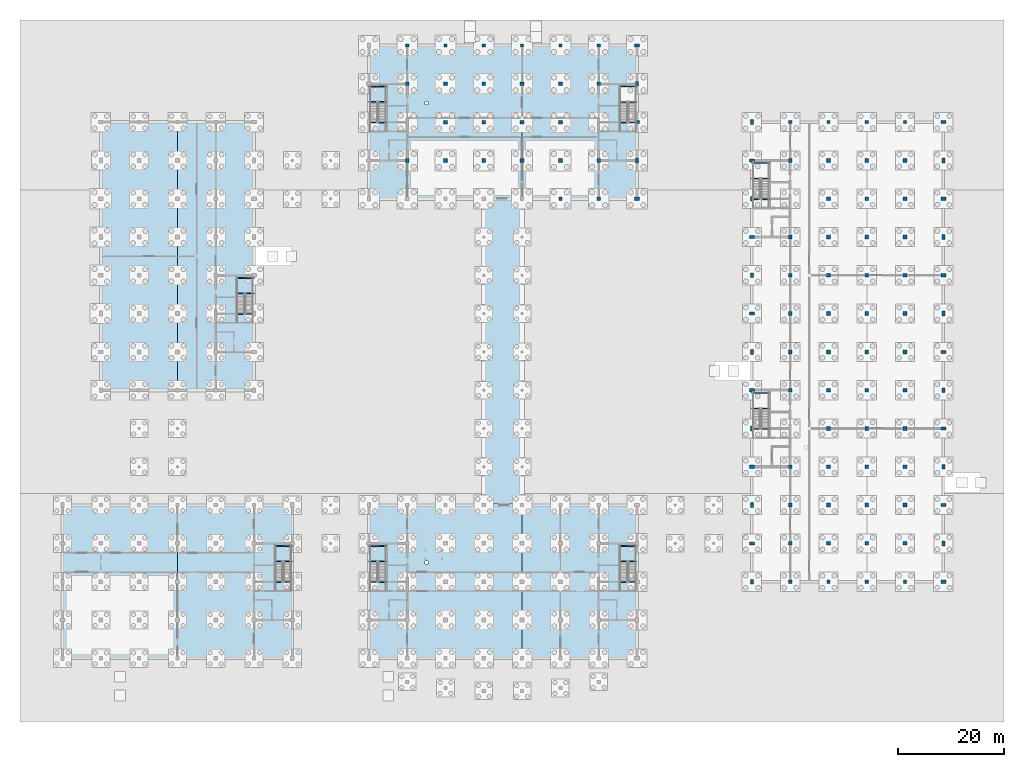
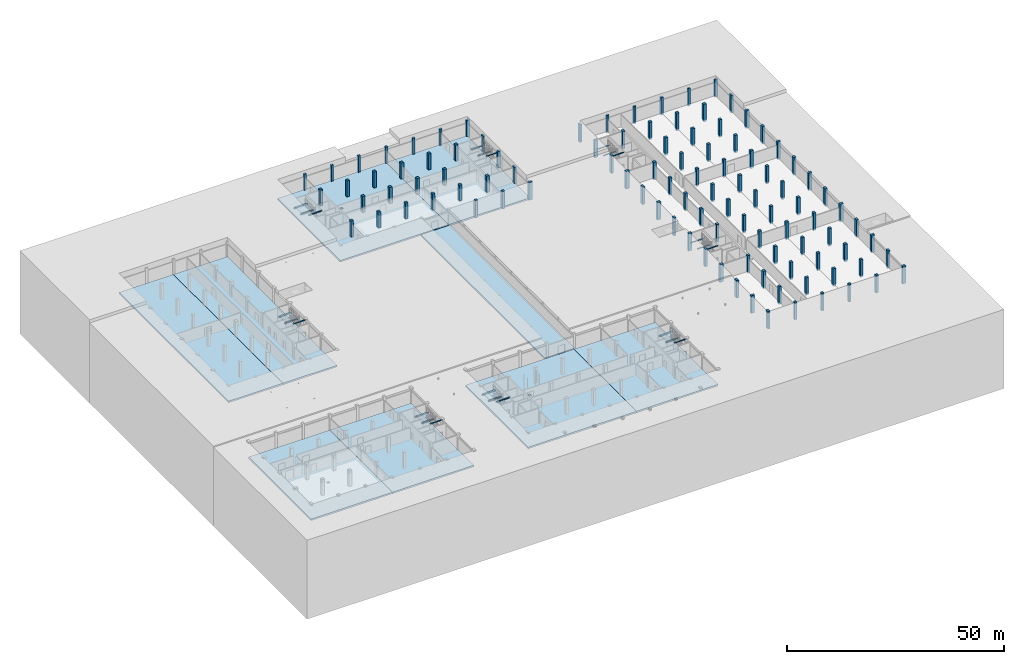
# One storey, part 22 of 51: 105 columns, 24 beams, 14 slabs, 5 elements without a shape of their own.
"""IFC4 building model written with IfcOpenShell, lengths in metres."""

from ifc_helpers import new_model, si_unit, direction, frame, origin, origin_2d, place, context, subcontext, project, spatial, polyline, rectangle, i_section, outline, extrude, material, layer, layer_set, material_profile, profile_set, type_object, element, aggregate, save


model = new_model("IFC4")

# Units and contexts
model_context = context("Model", 3, precision=1e-05, world=origin(), true_north=direction((0.0, 1.0)))
body_context = subcontext(model_context, "Body", "Model", "MODEL_VIEW")
ifc_project = project(units=[si_unit("LENGTHUNIT", "METRE"), si_unit("AREAUNIT", "SQUARE_METRE"), si_unit("VOLUMEUNIT", "CUBIC_METRE"), si_unit("PLANEANGLEUNIT", "RADIAN"), si_unit("MASSUNIT", "GRAM", prefix="KILO")], contexts=[model_context])

# Site, building, storey
site_placement = place(None, origin())
site = spatial("IfcSite", under=ifc_project, at=site_placement, CompositionType="ELEMENT")
building_placement = place(site_placement, origin())
building = spatial("IfcBuilding", under=site, at=building_placement, Name="Zlatovets Crest Museum", CompositionType="ELEMENT")
storey_placement = place(building_placement, frame((0.0, 0.0, -4.5)))
storey = spatial("IfcBuildingStorey", under=building, at=storey_placement, Name="B1", CompositionType="ELEMENT", Elevation=-4.5)

# Columns
ifc_material_1 = material(Name="Concrete C35/45", Category="concrete")
ifc_material_profile_1 = material_profile(ifc_material_1, rectangle(XDim=0.699951171875, YDim=0.699951171875, at=origin_2d()), Name="RC 700x700")
ifc_profile_set_1 = profile_set([ifc_material_profile_1], Name="Concrete C35/45")
column_type_1 = type_object("IfcColumnType", Name="Col_C-01", PredefinedType="COLUMN", material=ifc_profile_set_1)
for number, where, z_axis, x_axis, name in (
    (1, (64.800048828125, 93.60009765625, -0.449951171875), (0.0, 0.0, 1.0), (1.0, 0.0, 0.0), "V1 B1 Column (64.8, 93.6)"),
    (2, (64.800048828125, 108.0, -0.449951171875), (0.0, 0.0, 1.0), (1.0, 0.0, 0.0), "V1 B1 Column (64.8, 108.0)"),
    (3, (72.0, 93.60009765625, -0.449951171875), (0.0, 0.0, 1.0), (0.0, 1.0, 0.0), "V1 B1 Column (72.0, 93.6)"),
    (4, (72.0, 100.800048828125, -0.449951171875), (0.0, 0.0, 1.0), (1.0, 0.0, 0.0), "V1 B1 Column (72.0, 100.8)"),
    (5, (72.0, 108.0, -0.449951171875), (0.0, 0.0, 1.0), (0.0, 1.0, 0.0), "V1 B1 Column (72.0, 108.0)"),
    (6, (79.199951171875, 93.60009765625, -0.449951171875), (0.0, 0.0, 1.0), (1.0, 0.0, 0.0), "V1 B1 Column (79.2, 93.6)"),
    (7, (79.199951171875, 100.800048828125, -0.449951171875), (0.0, 0.0, 1.0), (0.0, 1.0, 0.0), "V1 B1 Column (79.2, 100.8)"),
    (8, (79.199951171875, 108.0, -0.449951171875), (0.0, 0.0, 1.0), (1.0, 0.0, 0.0), "V1 B1 Column (79.2, 108.0)"),
    (9, (86.39990234375, 93.60009765625, -0.449951171875), (0.0, 0.0, 1.0), (0.0, 1.0, 0.0), "V1 B1 Column (86.4, 93.6)"),
    (10, (86.39990234375, 100.800048828125, -0.449951171875), (0.0, 0.0, 1.0), (1.0, 0.0, 0.0), "V1 B1 Column (86.4, 100.8)"),
    (11, (86.39990234375, 108.0, -0.449951171875), (0.0, 0.0, 1.0), (0.0, 1.0, 0.0), "V1 B1 Column (86.4, 108.0)"),
    (12, (93.60009765625, 93.60009765625, -0.449951171875), (0.0, 0.0, 1.0), (1.0, 0.0, 0.0), "V1 B1 Column (93.6, 93.6)"),
    (13, (93.60009765625, 100.800048828125, -0.449951171875), (0.0, 0.0, 1.0), (0.0, 1.0, 0.0), "V1 B1 Column (93.6, 100.8)"),
    (14, (93.60009765625, 108.0, -0.449951171875), (0.0, 0.0, 1.0), (1.0, 0.0, 0.0), "V1 B1 Column (93.6, 108.0)"),
    (15, (100.800048828125, 93.60009765625, -0.449951171875), (0.0, 0.0, 1.0), (0.0, 1.0, 0.0), "V1 B1 Column (100.8, 93.6)"),
    (16, (100.800048828125, 108.0, -0.449951171875), (0.0, 0.0, 1.0), (0.0, 1.0, 0.0), "V1 B1 Column (100.8, 108.0)"),
    (17, (136.800048828125, 21.60009765625, -0.449951171875), (0.0, 0.0, 1.0), (1.0, 0.0, 0.0), "V5 B1 Column (136.8, 21.6)"),
    (18, (136.800048828125, 28.800048828125, -0.449951171875), (0.0, 0.0, 1.0), (0.0, 1.0, 0.0), "V5 B1 Column (136.8, 28.8)"),
    (19, (136.800048828125, 36.0, -0.449951171875), (0.0, 0.0, 1.0), (1.0, 0.0, 0.0), "V5 B1 Column (136.8, 36.0)"),
    (20, (136.800048828125, 50.39990234375, -0.449951171875), (0.0, 0.0, 1.0), (1.0, 0.0, 0.0), "V5 B1 Column (136.8, 50.4)"),
    (21, (136.800048828125, 57.60009765625, -0.449951171875), (0.0, 0.0, 1.0), (0.0, 1.0, 0.0), "V5 B1 Column (136.8, 57.6)"),
    (22, (136.800048828125, 64.800048828125, -0.449951171875), (0.0, 0.0, 1.0), (1.0, 0.0, 0.0), "V5 B1 Column (136.8, 64.8)"),
    (23, (136.800048828125, 72.0, -0.449951171875), (0.0, 0.0, 1.0), (0.0, 1.0, 0.0), "V5 B1 Column (136.8, 72.0)"),
    (24, (136.800048828125, 79.199951171875, -0.449951171875), (0.0, 0.0, 1.0), (1.0, 0.0, 0.0), "V5 B1 Column (136.8, 79.2)"),
    (25, (136.800048828125, 93.60009765625, -0.449951171875), (0.0, 0.0, 1.0), (1.0, 0.0, 0.0), "V5 B1 Column (136.8, 93.6)"),
    (26, (144.0, 21.60009765625, -0.449951171875), (0.0, 0.0, 1.0), (0.0, 1.0, 0.0), "V5 B1 Column (144.0, 21.6)"),
    (27, (144.0, 28.800048828125, -0.449951171875), (0.0, 0.0, 1.0), (1.0, 0.0, 0.0), "V5 B1 Column (144.0, 28.8)"),
    (28, (144.0, 36.0, -0.449951171875), (0.0, 0.0, 1.0), (0.0, 1.0, 0.0), "V5 B1 Column (144.0, 36.0)"),
    (29, (144.0, 43.199951171875, -0.449951171875), (0.0, 0.0, 1.0), (1.0, 0.0, 0.0), "V5 B1 Column (144.0, 43.2)"),
    (30, (144.0, 50.39990234375, -0.449951171875), (0.0, 0.0, 1.0), (0.0, 1.0, 0.0), "V5 B1 Column (144.0, 50.4)"),
    (31, (144.0, 57.60009765625, -0.449951171875), (0.0, 0.0, 1.0), (1.0, 0.0, 0.0), "V5 B1 Column (144.0, 57.6)"),
    (32, (144.0, 64.800048828125, -0.449951171875), (0.0, 0.0, 1.0), (0.0, 1.0, 0.0), "V5 B1 Column (144.0, 64.8)"),
    (33, (144.0, 72.0, -0.449951171875), (0.0, 0.0, 1.0), (1.0, 0.0, 0.0), "V5 B1 Column (144.0, 72.0)"),
    (34, (144.0, 79.199951171875, -0.449951171875), (0.0, 0.0, 1.0), (0.0, 1.0, 0.0), "V5 B1 Column (144.0, 79.2)"),
    (35, (144.0, 86.39990234375, -0.449951171875), (0.0, 0.0, 1.0), (1.0, 0.0, 0.0), "V5 B1 Column (144.0, 86.4)"),
    (36, (144.0, 93.60009765625, -0.449951171875), (0.0, 0.0, 1.0), (0.0, 1.0, 0.0), "V5 B1 Column (144.0, 93.6)"),
    (37, (151.199951171875, 21.60009765625, -0.449951171875), (0.0, 0.0, 1.0), (1.0, 0.0, 0.0), "V5 B1 Column (151.2, 21.6)"),
    (38, (151.199951171875, 28.800048828125, -0.449951171875), (0.0, 0.0, 1.0), (0.0, 1.0, 0.0), "V5 B1 Column (151.2, 28.8)"),
    (39, (151.199951171875, 36.0, -0.449951171875), (0.0, 0.0, 1.0), (1.0, 0.0, 0.0), "V5 B1 Column (151.2, 36.0)"),
    (40, (151.199951171875, 43.199951171875, -0.449951171875), (0.0, 0.0, 1.0), (0.0, 1.0, 0.0), "V5 B1 Column (151.2, 43.2)"),
    (41, (151.199951171875, 50.39990234375, -0.449951171875), (0.0, 0.0, 1.0), (1.0, 0.0, 0.0), "V5 B1 Column (151.2, 50.4)"),
    (42, (151.199951171875, 57.60009765625, -0.449951171875), (0.0, 0.0, 1.0), (0.0, 1.0, 0.0), "V5 B1 Column (151.2, 57.6)"),
    (43, (151.199951171875, 64.800048828125, -0.449951171875), (0.0, 0.0, 1.0), (1.0, 0.0, 0.0), "V5 B1 Column (151.2, 64.8)"),
    (44, (151.199951171875, 72.0, -0.449951171875), (0.0, 0.0, 1.0), (0.0, 1.0, 0.0), "V5 B1 Column (151.2, 72.0)"),
    (45, (151.199951171875, 79.199951171875, -0.449951171875), (0.0, 0.0, 1.0), (1.0, 0.0, 0.0), "V5 B1 Column (151.2, 79.2)"),
    (46, (151.199951171875, 86.39990234375, -0.449951171875), (0.0, 0.0, 1.0), (0.0, 1.0, 0.0), "V5 B1 Column (151.2, 86.4)"),
    (47, (151.199951171875, 93.60009765625, -0.449951171875), (0.0, 0.0, 1.0), (1.0, 0.0, 0.0), "V5 B1 Column (151.2, 93.6)"),
    (48, (158.39990234375, 21.60009765625, -0.449951171875), (0.0, 0.0, 1.0), (0.0, 1.0, 0.0), "V5 B1 Column (158.4, 21.6)"),
    (49, (158.39990234375, 28.800048828125, -0.449951171875), (0.0, 0.0, 1.0), (1.0, 0.0, 0.0), "V5 B1 Column (158.4, 28.8)"),
    (50, (158.39990234375, 36.0, -0.449951171875), (0.0, 0.0, 1.0), (0.0, 1.0, 0.0), "V5 B1 Column (158.4, 36.0)"),
    (51, (158.39990234375, 43.199951171875, -0.449951171875), (0.0, 0.0, 1.0), (1.0, 0.0, 0.0), "V5 B1 Column (158.4, 43.2)"),
    (52, (158.39990234375, 50.39990234375, -0.449951171875), (0.0, 0.0, 1.0), (0.0, 1.0, 0.0), "V5 B1 Column (158.4, 50.4)"),
    (53, (158.39990234375, 57.60009765625, -0.449951171875), (0.0, 0.0, 1.0), (1.0, 0.0, 0.0), "V5 B1 Column (158.4, 57.6)"),
    (54, (158.39990234375, 64.800048828125, -0.449951171875), (0.0, 0.0, 1.0), (0.0, 1.0, 0.0), "V5 B1 Column (158.4, 64.8)"),
    (55, (158.39990234375, 72.0, -0.449951171875), (0.0, 0.0, 1.0), (1.0, 0.0, 0.0), "V5 B1 Column (158.4, 72.0)"),
    (56, (158.39990234375, 79.199951171875, -0.449951171875), (0.0, 0.0, 1.0), (0.0, 1.0, 0.0), "V5 B1 Column (158.4, 79.2)"),
    (57, (158.39990234375, 86.39990234375, -0.449951171875), (0.0, 0.0, 1.0), (1.0, 0.0, 0.0), "V5 B1 Column (158.4, 86.4)"),
    (58, (158.39990234375, 93.60009765625, -0.449951171875), (0.0, 0.0, 1.0), (0.0, 1.0, 0.0), "V5 B1 Column (158.4, 93.6)"),
):
    element("IfcColumn", number, at=place(storey_placement, frame(where, z_axis=z_axis, x_axis=x_axis)), inside=storey, type_object=column_type_1, Name=name, PredefinedType="COLUMN", context=body_context, shape_type="SweptSolid", body=[
        extrude(rectangle(XDim=0.699951171875, YDim=0.699951171875, at=origin_2d()), origin(), (0.0, 0.0, 1.0), 4.949951171875),
    ])
ifc_material_profile_2 = material_profile(ifc_material_1, rectangle(XDim=0.60009765625, YDim=0.60009765625, at=origin_2d()), Name="RC 600x600")
ifc_profile_set_2 = profile_set([ifc_material_profile_2], Name="Concrete C35/45")
column_type_2 = type_object("IfcColumnType", Name="Col_C-02", PredefinedType="COLUMN", material=ifc_profile_set_2)
for number, where, z_axis, x_axis, name in (
    (59, (64.800048828125, 115.199951171875, -0.449951171875), (0.0, 0.0, 1.0), (0.0, 1.0, 0.0), "V1 B1 Column (64.8, 115.2)"),
    (60, (72.0, 115.199951171875, -0.449951171875), (0.0, 0.0, 1.0), (1.0, 0.0, 0.0), "V1 B1 Column (72.0, 115.2)"),
    (61, (79.199951171875, 115.199951171875, -0.449951171875), (0.0, 0.0, 1.0), (0.0, 1.0, 0.0), "V1 B1 Column (79.2, 115.2)"),
    (62, (86.39990234375, 115.199951171875, -0.449951171875), (0.0, 0.0, 1.0), (1.0, 0.0, 0.0), "V1 B1 Column (86.4, 115.2)"),
    (63, (93.60009765625, 86.39990234375, -0.449951171875), (0.0, 0.0, 1.0), (0.0, 1.0, 0.0), "V1 B1 Column (93.6, 86.4)"),
    (64, (93.60009765625, 115.199951171875, -0.449951171875), (0.0, 0.0, 1.0), (0.0, 1.0, 0.0), "V1 B1 Column (93.6, 115.2)"),
    (65, (100.800048828125, 86.39990234375, -0.449951171875), (0.0, 0.0, 1.0), (1.0, 0.0, 0.0), "V1 B1 Column (100.8, 86.4)"),
    (66, (100.800048828125, 115.199951171875, -0.449951171875), (0.0, 0.0, 1.0), (1.0, 0.0, 0.0), "V1 B1 Column (100.8, 115.2)"),
    (67, (136.800048828125, 14.39990234375, -0.449951171875), (0.0, 0.0, 1.0), (0.0, 1.0, 0.0), "V5 B1 Column (136.8, 14.4)"),
    (68, (136.800048828125, 100.800048828125, -0.449951171875), (0.0, 0.0, 1.0), (0.0, 1.0, 0.0), "V5 B1 Column (136.8, 100.8)"),
    (69, (144.0, 14.39990234375, -0.449951171875), (0.0, 0.0, 1.0), (1.0, 0.0, 0.0), "V5 B1 Column (144.0, 14.4)"),
    (70, (144.0, 100.800048828125, -0.449951171875), (0.0, 0.0, 1.0), (1.0, 0.0, 0.0), "V5 B1 Column (144.0, 100.8)"),
    (71, (151.199951171875, 14.39990234375, -0.449951171875), (0.0, 0.0, 1.0), (0.0, 1.0, 0.0), "V5 B1 Column (151.2, 14.4)"),
    (72, (151.199951171875, 100.800048828125, -0.449951171875), (0.0, 0.0, 1.0), (0.0, 1.0, 0.0), "V5 B1 Column (151.2, 100.8)"),
    (73, (158.39990234375, 14.39990234375, -0.449951171875), (0.0, 0.0, 1.0), (1.0, 0.0, 0.0), "V5 B1 Column (158.4, 14.4)"),
    (74, (158.39990234375, 100.800048828125, -0.449951171875), (0.0, 0.0, 1.0), (1.0, 0.0, 0.0), "V5 B1 Column (158.4, 100.8)"),
):
    element("IfcColumn", number, at=place(storey_placement, frame(where, z_axis=z_axis, x_axis=x_axis)), inside=storey, type_object=column_type_2, Name=name, PredefinedType="COLUMN", context=body_context, shape_type="SweptSolid", body=[
        extrude(rectangle(XDim=0.60009765625, YDim=0.60009765625, at=origin_2d()), origin(), (0.0, 0.0, 1.0), 4.949951171875),
    ])
ifc_material_profile_3 = material_profile(ifc_material_1, rectangle(XDim=0.60009765625, YDim=0.89990234375, at=origin_2d()), Name="RC 600x900")
ifc_profile_set_3 = profile_set([ifc_material_profile_3], Name="Concrete C35/45")
column_type_3 = type_object("IfcColumnType", Name="Col_C-03", PredefinedType="PILASTER", material=ifc_profile_set_3)
for number, where, z_axis, x_axis, name in (
    (75, (108.0, 86.39990234375, -0.449951171875), (0.0, 0.0, 1.0), (0.0, 1.0, 0.0), "V1 B1 Column (108.0, 86.4)"),
    (76, (108.0, 93.60009765625, -0.449951171875), (0.0, 0.0, 1.0), (1.0, 0.0, 0.0), "V1 B1 Column (108.0, 93.6)"),
    (77, (108.0, 100.800048828125, -0.449951171875), (0.0, 0.0, 1.0), (0.0, 1.0, 0.0), "V1 B1 Column (108.0, 100.8)"),
    (78, (108.0, 108.0, -0.449951171875), (0.0, 0.0, 1.0), (1.0, 0.0, 0.0), "V1 B1 Column (108.0, 108.0)"),
    (79, (108.0, 115.199951171875, -0.449951171875), (0.0, 0.0, 1.0), (0.0, 1.0, 0.0), "V1 B1 Column (108.0, 115.2)"),
    (80, (129.60009765625, 14.39990234375, -0.449951171875), (0.0, 0.0, 1.0), (1.0, 0.0, 0.0), "V5 B1 Column (129.6, 14.4)"),
    (81, (129.60009765625, 21.60009765625, -0.449951171875), (0.0, 0.0, 1.0), (0.0, 1.0, 0.0), "V5 B1 Column (129.6, 21.6)"),
    (82, (129.60009765625, 28.800048828125, -0.449951171875), (0.0, 0.0, 1.0), (1.0, 0.0, 0.0), "V5 B1 Column (129.6, 28.8)"),
    (83, (129.60009765625, 36.0, -0.449951171875), (0.0, 0.0, 1.0), (0.0, 1.0, 0.0), "V5 B1 Column (129.6, 36.0)"),
    (84, (129.60009765625, 43.199951171875, -0.449951171875), (0.0, 0.0, 1.0), (1.0, 0.0, 0.0), "V5 B1 Column (129.6, 43.2)"),
    (85, (129.60009765625, 50.39990234375, -0.449951171875), (0.0, 0.0, 1.0), (0.0, 1.0, 0.0), "V5 B1 Column (129.6, 50.4)"),
    (86, (129.60009765625, 57.60009765625, -0.449951171875), (0.0, 0.0, 1.0), (1.0, 0.0, 0.0), "V5 B1 Column (129.6, 57.6)"),
    (87, (129.60009765625, 64.800048828125, -0.449951171875), (0.0, 0.0, 1.0), (0.0, 1.0, 0.0), "V5 B1 Column (129.6, 64.8)"),
    (88, (129.60009765625, 72.0, -0.449951171875), (0.0, 0.0, 1.0), (1.0, 0.0, 0.0), "V5 B1 Column (129.6, 72.0)"),
    (89, (129.60009765625, 79.199951171875, -0.449951171875), (0.0, 0.0, 1.0), (0.0, 1.0, 0.0), "V5 B1 Column (129.6, 79.2)"),
    (90, (129.60009765625, 86.39990234375, -0.449951171875), (0.0, 0.0, 1.0), (1.0, 0.0, 0.0), "V5 B1 Column (129.6, 86.4)"),
    (91, (129.60009765625, 93.60009765625, -0.449951171875), (0.0, 0.0, 1.0), (0.0, 1.0, 0.0), "V5 B1 Column (129.6, 93.6)"),
    (92, (129.60009765625, 100.800048828125, -0.449951171875), (0.0, 0.0, 1.0), (1.0, 0.0, 0.0), "V5 B1 Column (129.6, 100.8)"),
    (93, (165.60009765625, 14.39990234375, -0.449951171875), (0.0, 0.0, 1.0), (0.0, 1.0, 0.0), "V5 B1 Column (165.6, 14.4)"),
    (94, (165.60009765625, 21.60009765625, -0.449951171875), (0.0, 0.0, 1.0), (1.0, 0.0, 0.0), "V5 B1 Column (165.6, 21.6)"),
    (95, (165.60009765625, 28.800048828125, -0.449951171875), (0.0, 0.0, 1.0), (0.0, 1.0, 0.0), "V5 B1 Column (165.6, 28.8)"),
    (96, (165.60009765625, 36.0, -0.449951171875), (0.0, 0.0, 1.0), (1.0, 0.0, 0.0), "V5 B1 Column (165.6, 36.0)"),
    (97, (165.60009765625, 43.199951171875, -0.449951171875), (0.0, 0.0, 1.0), (0.0, 1.0, 0.0), "V5 B1 Column (165.6, 43.2)"),
    (98, (165.60009765625, 50.39990234375, -0.449951171875), (0.0, 0.0, 1.0), (1.0, 0.0, 0.0), "V5 B1 Column (165.6, 50.4)"),
    (99, (165.60009765625, 57.60009765625, -0.449951171875), (0.0, 0.0, 1.0), (0.0, 1.0, 0.0), "V5 B1 Column (165.6, 57.6)"),
    (100, (165.60009765625, 64.800048828125, -0.449951171875), (0.0, 0.0, 1.0), (1.0, 0.0, 0.0), "V5 B1 Column (165.6, 64.8)"),
    (101, (165.60009765625, 72.0, -0.449951171875), (0.0, 0.0, 1.0), (0.0, 1.0, 0.0), "V5 B1 Column (165.6, 72.0)"),
    (102, (165.60009765625, 79.199951171875, -0.449951171875), (0.0, 0.0, 1.0), (1.0, 0.0, 0.0), "V5 B1 Column (165.6, 79.2)"),
    (103, (165.60009765625, 86.39990234375, -0.449951171875), (0.0, 0.0, 1.0), (0.0, 1.0, 0.0), "V5 B1 Column (165.6, 86.4)"),
    (104, (165.60009765625, 93.60009765625, -0.449951171875), (0.0, 0.0, 1.0), (1.0, 0.0, 0.0), "V5 B1 Column (165.6, 93.6)"),
    (105, (165.60009765625, 100.800048828125, -0.449951171875), (0.0, 0.0, 1.0), (0.0, 1.0, 0.0), "V5 B1 Column (165.6, 100.8)"),
):
    element("IfcColumn", number, at=place(storey_placement, frame(where, z_axis=z_axis, x_axis=x_axis)), inside=storey, type_object=column_type_3, Name=name, PredefinedType="PILASTER", context=body_context, shape_type="SweptSolid", body=[
        extrude(rectangle(XDim=0.60009765625, YDim=0.89990234375, at=origin_2d()), origin(), (0.0, 0.0, 1.0), 4.949951171875),
    ])

# Beams
ifc_material_2 = material(Name="Structural steel S355J2", Category="steel")
ifc_material_profile_4 = material_profile(ifc_material_2, i_section(OverallWidth=0.10009765625, OverallDepth=0.199951171875, WebThickness=0.005615234375, FlangeThickness=0.008544921875, FilletRadius=0.011962890625, at=origin_2d()), Name="IPE 200")
ifc_profile_set_4 = profile_set([ifc_material_profile_4], Name="Structural steel S355J2")
beam_type = type_object("IfcBeamType", Name="Beam_PR-02", PredefinedType="LINTEL", material=ifc_profile_set_4)
for number, where, z_axis, x_axis, name in (
    (106, (57.60009765625, 100.699951171875, 4.14990234375), (1.0, 0.0, 0.0), (0.0, 1.0, 0.0), "Core C1 B1 Stair Well Header Beam"),
    (107, (57.60009765625, 104.60009765625, 1.949951171875), (1.0, 0.0, 0.0), (0.0, 1.0, 0.0), "Core C1 B1 Half-Landing Support Beam"),
    (108, (57.60009765625, 107.47998046875, 1.949951171875), (1.0, 0.0, 0.0), (0.0, 1.0, 0.0), "Core C1 B1 Half-Landing Support Beam"),
    (109, (57.60009765625, 14.300048828125, 4.14990234375), (1.0, 0.0, 0.0), (0.0, 1.0, 0.0), "Core C2 B1 Stair Well Header Beam"),
    (110, (57.60009765625, 18.199951171875, 1.949951171875), (1.0, 0.0, 0.0), (0.0, 1.0, 0.0), "Core C2 B1 Half-Landing Support Beam"),
    (111, (57.60009765625, 21.080078125, 1.949951171875), (1.0, 0.0, 0.0), (0.0, 1.0, 0.0), "Core C2 B1 Half-Landing Support Beam"),
    (112, (39.85009765625, 14.300048828125, 4.14990234375), (1.0, 0.0, 0.0), (0.0, 1.0, 0.0), "Core C3 B1 Stair Well Header Beam"),
    (113, (39.85009765625, 18.199951171875, 1.949951171875), (1.0, 0.0, 0.0), (0.0, 1.0, 0.0), "Core C3 B1 Half-Landing Support Beam"),
    (114, (39.85009765625, 21.080078125, 1.949951171875), (1.0, 0.0, 0.0), (0.0, 1.0, 0.0), "Core C3 B1 Half-Landing Support Beam"),
):
    element("IfcBeam", number, at=place(storey_placement, frame(where, z_axis=z_axis, x_axis=x_axis)), inside=storey, type_object=beam_type, Name=name, PredefinedType="LINTEL", context=body_context, shape_type="SweptSolid", body=[
        extrude(i_section(OverallWidth=0.10009765625, OverallDepth=0.199951171875, WebThickness=0.005615234375, FlangeThickness=0.008544921875, FilletRadius=0.011962890625, at=origin_2d()), origin(), (0.0, 0.0, 1.0), 3.349853515625),
    ])
for number, where, z_axis, x_axis, name in (
    (115, (32.64990234375, 64.699951171875, 4.14990234375), (1.0, 0.0, 0.0), (0.0, 1.0, 0.0), "Core C4 B1 Stair Well Header Beam"),
    (116, (32.64990234375, 68.60009765625, 1.949951171875), (1.0, 0.0, 0.0), (0.0, 1.0, 0.0), "Core C4 B1 Half-Landing Support Beam"),
    (117, (32.64990234375, 71.47998046875, 1.949951171875), (1.0, 0.0, 0.0), (0.0, 1.0, 0.0), "Core C4 B1 Half-Landing Support Beam"),
):
    element("IfcBeam", number, at=place(storey_placement, frame(where, z_axis=z_axis, x_axis=x_axis)), inside=storey, type_object=beam_type, Name=name, PredefinedType="LINTEL", context=body_context, shape_type="SweptSolid", body=[
        extrude(i_section(OverallWidth=0.10009765625, OverallDepth=0.199951171875, WebThickness=0.005615234375, FlangeThickness=0.008544921875, FilletRadius=0.011962890625, at=origin_2d()), origin(), (0.0, 0.0, 1.0), 3.35009765625),
    ])
for number, where, z_axis, x_axis, name in (
    (118, (129.60009765625, 43.10009765625, 4.1201171875), (1.0, 0.0, 0.0), (0.0, 1.0, 0.0), "Core C5 B1 Stair Well Header Beam"),
    (119, (129.60009765625, 47.0, 1.949951171875), (1.0, 0.0, 0.0), (0.0, 1.0, 0.0), "Core C5 B1 Half-Landing Support Beam"),
    (120, (129.60009765625, 49.8798828125, 1.949951171875), (1.0, 0.0, 0.0), (0.0, 1.0, 0.0), "Core C5 B1 Half-Landing Support Beam"),
):
    element("IfcBeam", number, at=place(storey_placement, frame(where, z_axis=z_axis, x_axis=x_axis)), inside=storey, type_object=beam_type, Name=name, PredefinedType="LINTEL", context=body_context, shape_type="SweptSolid", body=[
        extrude(i_section(OverallWidth=0.10009765625, OverallDepth=0.199951171875, WebThickness=0.005615234375, FlangeThickness=0.008544921875, FilletRadius=0.011962890625, at=origin_2d()), origin(), (0.0, 0.0, 1.0), 3.349853515625),
    ])
for number, where, z_axis, x_axis, name in (
    (121, (104.64990234375, 100.699951171875, 4.14990234375), (1.0, 0.0, 0.0), (0.0, 1.0, 0.0), "Core C6 B1 Stair Well Header Beam"),
    (122, (104.64990234375, 104.60009765625, 1.949951171875), (1.0, 0.0, 0.0), (0.0, 1.0, 0.0), "Core C6 B1 Half-Landing Support Beam"),
    (123, (104.64990234375, 107.47998046875, 1.949951171875), (1.0, 0.0, 0.0), (0.0, 1.0, 0.0), "Core C6 B1 Half-Landing Support Beam"),
):
    element("IfcBeam", number, at=place(storey_placement, frame(where, z_axis=z_axis, x_axis=x_axis)), inside=storey, type_object=beam_type, Name=name, PredefinedType="LINTEL", context=body_context, shape_type="SweptSolid", body=[
        extrude(i_section(OverallWidth=0.10009765625, OverallDepth=0.199951171875, WebThickness=0.005615234375, FlangeThickness=0.008544921875, FilletRadius=0.011962890625, at=origin_2d()), origin(), (0.0, 0.0, 1.0), 3.35009765625),
    ])
for number, where, z_axis, x_axis, name in (
    (124, (129.60009765625, 86.300048828125, 4.1201171875), (1.0, 0.0, 0.0), (0.0, 1.0, 0.0), "Core C7 B1 Stair Well Header Beam"),
    (125, (129.60009765625, 90.199951171875, 1.949951171875), (1.0, 0.0, 0.0), (0.0, 1.0, 0.0), "Core C7 B1 Half-Landing Support Beam"),
    (126, (129.60009765625, 93.080078125, 1.949951171875), (1.0, 0.0, 0.0), (0.0, 1.0, 0.0), "Core C7 B1 Half-Landing Support Beam"),
):
    element("IfcBeam", number, at=place(storey_placement, frame(where, z_axis=z_axis, x_axis=x_axis)), inside=storey, type_object=beam_type, Name=name, PredefinedType="LINTEL", context=body_context, shape_type="SweptSolid", body=[
        extrude(i_section(OverallWidth=0.10009765625, OverallDepth=0.199951171875, WebThickness=0.005615234375, FlangeThickness=0.008544921875, FilletRadius=0.011962890625, at=origin_2d()), origin(), (0.0, 0.0, 1.0), 3.349853515625),
    ])
for number, where, z_axis, x_axis, name in (
    (127, (104.64990234375, 14.300048828125, 4.14990234375), (1.0, 0.0, 0.0), (0.0, 1.0, 0.0), "Core C8 B1 Stair Well Header Beam"),
    (128, (104.64990234375, 18.199951171875, 1.949951171875), (1.0, 0.0, 0.0), (0.0, 1.0, 0.0), "Core C8 B1 Half-Landing Support Beam"),
    (129, (104.64990234375, 21.080078125, 1.949951171875), (1.0, 0.0, 0.0), (0.0, 1.0, 0.0), "Core C8 B1 Half-Landing Support Beam"),
):
    element("IfcBeam", number, at=place(storey_placement, frame(where, z_axis=z_axis, x_axis=x_axis)), inside=storey, type_object=beam_type, Name=name, PredefinedType="LINTEL", context=body_context, shape_type="SweptSolid", body=[
        extrude(i_section(OverallWidth=0.10009765625, OverallDepth=0.199951171875, WebThickness=0.005615234375, FlangeThickness=0.008544921875, FilletRadius=0.011962890625, at=origin_2d()), origin(), (0.0, 0.0, 1.0), 3.35009765625),
    ])

# Slabs
ifc_material_3 = material(Name="Concrete C30/37", Category="concrete")
ifc_layer_1 = layer(ifc_material_3, 0.449951171875)
ifc_layer_set_1 = layer_set([ifc_layer_1], Name="Concrete C30/37")
slab_type_1 = type_object("IfcSlabType", Name="Slab_BS-01", PredefinedType="BASESLAB", material=ifc_layer_set_1)
slab_1_placement = place(storey_placement, frame((0.0, 0.0, -0.449951171875)))
element("IfcSlab", 130, at=slab_1_placement, inside=storey, type_object=slab_type_1, Name="V1 B1 Structural Slab Panel 1", PredefinedType="BASESLAB", context=body_context, shape_type="SweptSolid", body=[
    extrude(outline(polyline([(57.60009765625, 115.199951171875), (86.39990234375, 115.199951171875), (86.39990234375, 86.39990234375), (57.60009765625, 86.39990234375), (57.60009765625, 115.199951171875)]), holes=[polyline([(68.10009765625, 104.699951171875), (68.10009765625, 104.10009765625), (68.699951171875, 104.10009765625), (68.699951171875, 104.699951171875), (68.10009765625, 104.699951171875)])]), origin(), (0.0, 0.0, 1.0), 0.449951171875),
])
slab_2_placement = place(storey_placement, frame((0.0, 0.0, -0.449951171875)))
element("IfcSlab", 131, at=slab_2_placement, inside=storey, type_object=slab_type_1, Name="V1 B1 Structural Slab Panel 2", PredefinedType="BASESLAB", context=body_context, shape_type="SweptSolid", body=[
    extrude(outline(polyline([(108.0, 115.199951171875), (108.0, 86.39990234375), (86.39990234375, 86.39990234375), (86.39990234375, 115.199951171875), (108.0, 115.199951171875)])), origin(), (0.0, 0.0, 1.0), 0.449951171875),
])
slab_3_placement = place(storey_placement, frame((0.0, 0.0, -0.449951171875)))
element("IfcSlab", 132, at=slab_3_placement, inside=storey, type_object=slab_type_1, Name="V2 B1 Structural Slab Panel 1", PredefinedType="BASESLAB", context=body_context, shape_type="SweptSolid", body=[
    extrude(outline(polyline([(57.60009765625, 28.800048828125), (86.39990234375, 28.800048828125), (86.39990234375, 0.0), (57.60009765625, 0.0), (57.60009765625, 28.800048828125)]), holes=[polyline([(68.10009765625, 18.300048828125), (68.10009765625, 17.699951171875), (68.699951171875, 17.699951171875), (68.699951171875, 18.300048828125), (68.10009765625, 18.300048828125)])]), origin(), (0.0, 0.0, 1.0), 0.449951171875),
])
slab_4_placement = place(storey_placement, frame((0.0, 0.0, -0.449951171875)))
element("IfcSlab", 133, at=slab_4_placement, inside=storey, type_object=slab_type_1, Name="V2 B1 Structural Slab Panel 2", PredefinedType="BASESLAB", context=body_context, shape_type="SweptSolid", body=[
    extrude(outline(polyline([(108.0, 28.800048828125), (108.0, 0.0), (86.39990234375, 0.0), (86.39990234375, 28.800048828125), (108.0, 28.800048828125)])), origin(), (0.0, 0.0, 1.0), 0.449951171875),
])
slab_5_placement = place(storey_placement, frame((0.0, 0.0, -0.449951171875)))
element("IfcSlab", 134, at=slab_5_placement, inside=storey, type_object=slab_type_1, Name="V3 B1 Structural Slab Panel 1", PredefinedType="BASESLAB", context=body_context, shape_type="SweptSolid", body=[
    extrude(outline(polyline([(0.0, 28.800048828125), (21.60009765625, 28.800048828125), (21.60009765625, 0.0), (0.0, 0.0), (0.0, 28.800048828125)]), holes=[polyline([(10.5, 11.10009765625), (10.5, 10.5), (11.10009765625, 10.5), (11.10009765625, 11.10009765625), (10.5, 11.10009765625)])]), origin(), (0.0, 0.0, 1.0), 0.449951171875),
])
slab_6_placement = place(storey_placement, frame((0.0, 0.0, -0.449951171875)))
element("IfcSlab", 135, at=slab_6_placement, inside=storey, type_object=slab_type_1, Name="V3 B1 Structural Slab Panel 2", PredefinedType="BASESLAB", context=body_context, shape_type="SweptSolid", body=[
    extrude(outline(polyline([(43.199951171875, 28.800048828125), (43.199951171875, 0.0), (21.60009765625, 0.0), (21.60009765625, 28.800048828125), (43.199951171875, 28.800048828125)])), origin(), (0.0, 0.0, 1.0), 0.449951171875),
])
slab_7_placement = place(storey_placement, frame((0.0, 0.0, -0.449951171875)))
element("IfcSlab", 136, at=slab_7_placement, inside=storey, type_object=slab_type_1, Name="V4 B1 Structural Slab Panel 1", PredefinedType="BASESLAB", context=body_context, shape_type="SweptSolid", body=[
    extrude(outline(polyline([(7.199951171875, 50.39990234375), (7.199951171875, 100.800048828125), (21.60009765625, 100.800048828125), (21.60009765625, 50.39990234375), (7.199951171875, 50.39990234375)])), origin(), (0.0, 0.0, 1.0), 0.449951171875),
])
slab_8_placement = place(storey_placement, frame((0.0, 0.0, -0.449951171875)))
element("IfcSlab", 137, at=slab_8_placement, inside=storey, type_object=slab_type_1, Name="V4 B1 Structural Slab Panel 2", PredefinedType="BASESLAB", context=body_context, shape_type="SweptSolid", body=[
    extrude(outline(polyline([(36.0, 100.800048828125), (36.0, 50.39990234375), (21.60009765625, 50.39990234375), (21.60009765625, 100.800048828125), (36.0, 100.800048828125)])), origin(), (0.0, 0.0, 1.0), 0.449951171875),
])
slab_9_placement = place(storey_placement, frame((0.0, 0.0, -0.449951171875)))
element("IfcSlab", 138, at=slab_9_placement, inside=storey, type_object=slab_type_1, Name="Central Sculpture Court Cloister and Skywalk B1 Deck Slab", PredefinedType="BASESLAB", context=body_context, shape_type="SweptSolid", body=[
    extrude(outline(polyline([(86.75, 29.050048828125), (86.75, 86.14990234375), (78.85009765625, 86.14990234375), (78.85009765625, 29.050048828125), (86.75, 29.050048828125)])), origin(), (0.0, 0.0, 1.0), 0.449951171875),
])

# Stair, slab
stair_type_1 = type_object("IfcStairType", Name="Stair_ST1-28R", PredefinedType="HALF_TURN_STAIR", material=ifc_material_1)
stair_1_placement = place(storey_placement, origin())
stair_1 = element("IfcStair", 139, at=stair_1_placement, inside=storey, type_object=stair_type_1, Name="B1 Core C1 Escape Stair ST1", PredefinedType="HALF_TURN_STAIR")
ifc_layer_2 = layer(ifc_material_1, 0.199951171875)
ifc_layer_set_2 = layer_set([ifc_layer_2], Name="Concrete C35/45")
slab_type_2 = type_object("IfcSlabType", Name="StairLanding_SLD1", PredefinedType="LANDING", material=ifc_layer_set_2)
slab_10_placement = place(storey_placement, frame((0.0, 0.0, 2.050048828125)))
slab_10 = element("IfcSlab", 140, at=slab_10_placement, type_object=slab_type_2, Name="ST1 landing 1", PredefinedType="LANDING", context=body_context, shape_type="SweptSolid", body=[
    extrude(outline(polyline([(60.800048828125, 104.60009765625), (60.800048828125, 107.60009765625), (57.800048828125, 107.60009765625), (57.800048828125, 104.60009765625), (60.800048828125, 104.60009765625)])), origin(), (0.0, 0.0, 1.0), 0.199951171875),
])
aggregate(stair_1, [slab_10])

stair_type_2 = type_object("IfcStairType", Name="Stair_ST2-28R", PredefinedType="HALF_TURN_STAIR", material=ifc_material_1)
stair_2_placement = place(storey_placement, origin())
stair_2 = element("IfcStair", 141, at=stair_2_placement, inside=storey, type_object=stair_type_2, Name="B1 Core C2 Escape Stair ST2", PredefinedType="HALF_TURN_STAIR")
slab_11_placement = place(storey_placement, frame((0.0, 0.0, 2.050048828125)))
slab_11 = element("IfcSlab", 142, at=slab_11_placement, type_object=slab_type_2, Name="ST2 landing 1", PredefinedType="LANDING", context=body_context, shape_type="SweptSolid", body=[
    extrude(outline(polyline([(60.800048828125, 18.199951171875), (60.800048828125, 21.199951171875), (57.800048828125, 21.199951171875), (57.800048828125, 18.199951171875), (60.800048828125, 18.199951171875)])), origin(), (0.0, 0.0, 1.0), 0.199951171875),
])
aggregate(stair_2, [slab_11])

stair_type_3 = type_object("IfcStairType", Name="Stair_ST3-28R", PredefinedType="HALF_TURN_STAIR", material=ifc_material_1)
stair_3_placement = place(storey_placement, origin())
stair_3 = element("IfcStair", 143, at=stair_3_placement, inside=storey, type_object=stair_type_3, Name="B1 Core C3 Escape Stair ST3", PredefinedType="HALF_TURN_STAIR")
slab_12_placement = place(storey_placement, frame((0.0, 0.0, 2.050048828125)))
slab_12 = element("IfcSlab", 144, at=slab_12_placement, type_object=slab_type_2, Name="ST3 landing 1", PredefinedType="LANDING", context=body_context, shape_type="SweptSolid", body=[
    extrude(outline(polyline([(43.0, 18.199951171875), (43.0, 21.199951171875), (40.0, 21.199951171875), (40.0, 18.199951171875), (43.0, 18.199951171875)])), origin(), (0.0, 0.0, 1.0), 0.199951171875),
])
aggregate(stair_3, [slab_12])

stair_type_4 = type_object("IfcStairType", Name="Stair_ST4-28R", PredefinedType="HALF_TURN_STAIR", material=ifc_material_1)
stair_4_placement = place(storey_placement, origin())
stair_4 = element("IfcStair", 145, at=stair_4_placement, inside=storey, type_object=stair_type_4, Name="B1 Core C4 Escape Stair ST4", PredefinedType="HALF_TURN_STAIR")
slab_13_placement = place(storey_placement, frame((0.0, 0.0, 2.050048828125)))
slab_13 = element("IfcSlab", 146, at=slab_13_placement, type_object=slab_type_2, Name="ST4 landing 1", PredefinedType="LANDING", context=body_context, shape_type="SweptSolid", body=[
    extrude(outline(polyline([(35.800048828125, 68.60009765625), (35.800048828125, 71.60009765625), (32.800048828125, 71.60009765625), (32.800048828125, 68.60009765625), (35.800048828125, 68.60009765625)])), origin(), (0.0, 0.0, 1.0), 0.199951171875),
])
aggregate(stair_4, [slab_13])

stair_type_5 = type_object("IfcStairType", Name="Stair_ST9-28R", PredefinedType="HALF_TURN_STAIR", material=ifc_material_1)
stair_5_placement = place(storey_placement, origin())
stair_5 = element("IfcStair", 147, at=stair_5_placement, inside=storey, type_object=stair_type_5, Name="B1 Core C8 Escape Stair ST9", PredefinedType="HALF_TURN_STAIR")
slab_14_placement = place(storey_placement, frame((0.0, 0.0, 2.050048828125)))
slab_14 = element("IfcSlab", 148, at=slab_14_placement, type_object=slab_type_2, Name="ST9 landing 1", PredefinedType="LANDING", context=body_context, shape_type="SweptSolid", body=[
    extrude(outline(polyline([(107.800048828125, 18.199951171875), (107.800048828125, 21.199951171875), (104.800048828125, 21.199951171875), (104.800048828125, 18.199951171875), (107.800048828125, 18.199951171875)])), origin(), (0.0, 0.0, 1.0), 0.199951171875),
])
aggregate(stair_5, [slab_14])

save(model, "model.ifc")
